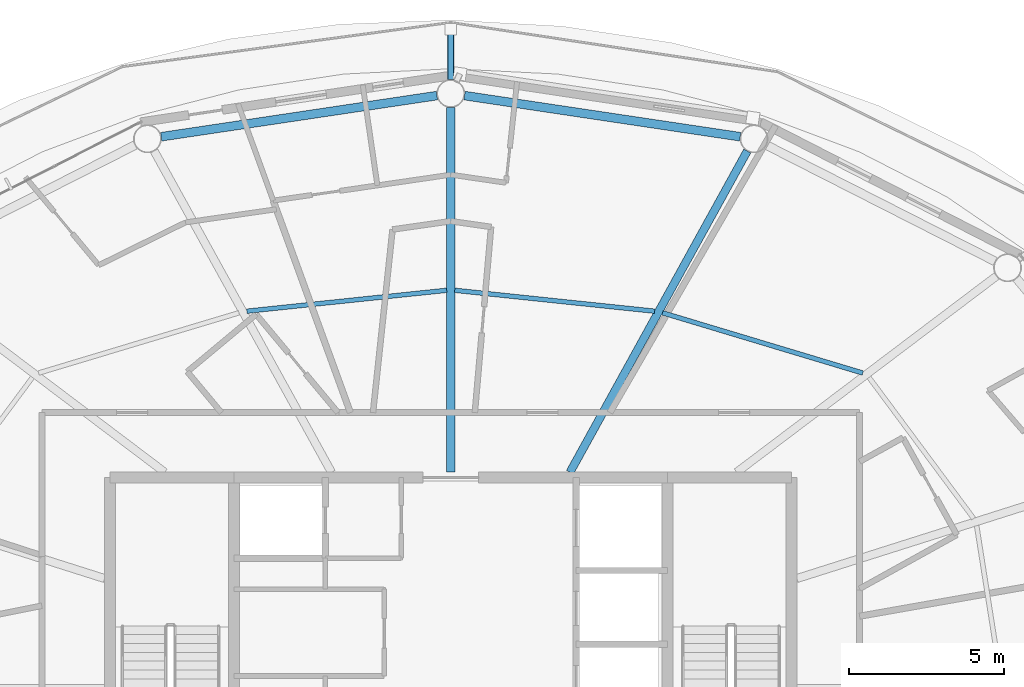
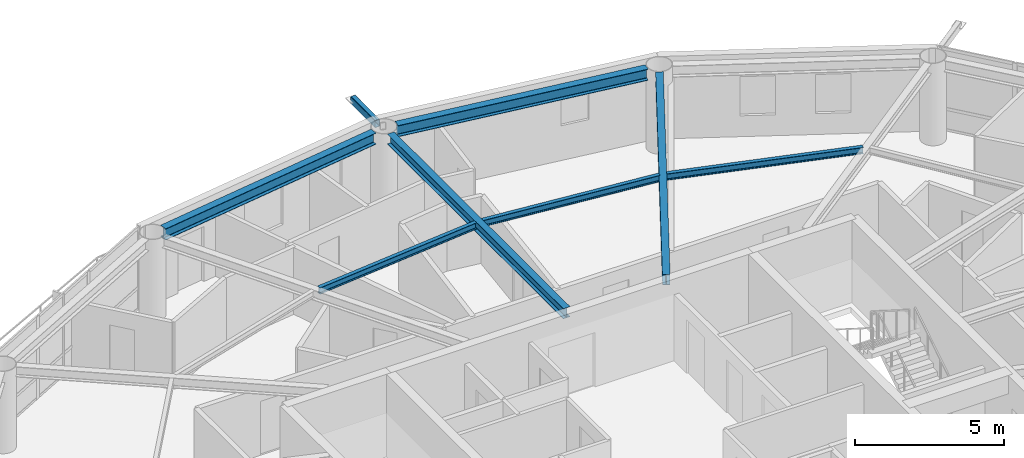
# One storey, part 10 of 22: 7 beams, 1 member.
"""IFC4 building model written with IfcOpenShell, lengths in metres."""

from ifc_helpers import new_model, si_unit, direction, frame, origin, origin_2d, place, context, subcontext, project, spatial, hollow_rectangle, i_section, extrude, material, material_profile, profile_set, type_object, element, save


model = new_model("IFC4")

# Units and contexts
model_context = context("Model", 3, precision=1e-05, world=origin(), true_north=direction((0.0, 1.0)))
body_context = subcontext(model_context, "Body", "Model", "MODEL_VIEW")
ifc_project = project(units=[si_unit("LENGTHUNIT", "METRE"), si_unit("AREAUNIT", "SQUARE_METRE"), si_unit("VOLUMEUNIT", "CUBIC_METRE"), si_unit("PLANEANGLEUNIT", "RADIAN"), si_unit("MASSUNIT", "GRAM", prefix="KILO")], contexts=[model_context])

# Site, building, storey
site_placement = place(None, origin())
site = spatial("IfcSite", under=ifc_project, at=site_placement, CompositionType="ELEMENT")
building_placement = place(site_placement, origin())
building = spatial("IfcBuilding", under=site, at=building_placement, Name="Sarneth Arch Tower", CompositionType="ELEMENT")
storey_placement = place(building_placement, frame((0.0, 0.0, 294.60009765625)))
storey = spatial("IfcBuildingStorey", under=building, at=storey_placement, Name="L76", CompositionType="ELEMENT", Elevation=294.60009765625)

# Beams
ifc_material_1 = material(Name="Steel S355", Category="steel")
ifc_material_profile_1 = material_profile(ifc_material_1, i_section(OverallWidth=0.14794921875, OverallDepth=0.26611328125, WebThickness=0.007568359375, FlangeThickness=0.012939453125, FilletRadius=0.012939453125, at=origin_2d()), Name="W250x44.8")
ifc_profile_set_1 = profile_set([ifc_material_profile_1], Name="Steel S355")
beam_type_1 = type_object("IfcBeamType", Name="BM-JOIST-250", PredefinedType="JOIST", material=ifc_profile_set_1)
beam_1_placement = place(storey_placement, frame((61.301025390625, 52.177490234375, 3.23681640625), z_axis=(-0.95760703602, 0.288077705776, 0.0), x_axis=(-0.288077705776, -0.95760703602, 0.0)))
element("IfcBeam", 1, at=beam_1_placement, inside=storey, type_object=beam_type_1, Name="L76 Secondary floor joist 03", PredefinedType="JOIST", context=body_context, shape_type="SweptSolid", body=[
    extrude(i_section(OverallWidth=0.14794921875, OverallDepth=0.26611328125, WebThickness=0.007568359375, FlangeThickness=0.012939453125, FilletRadius=0.012939453125, at=origin_2d()), origin(), (0.0, 0.0, 1.0), 6.7509765625),
])
for number, where, z_axis, x_axis, name in (
    (2, (54.582275390625, 54.17333984375, 3.23681640625), (-0.994564879221, 0.104118687178, 0.0), (-0.104118687178, -0.994564879221, 0.0), "L76 Secondary floor joist 04"),
    (3, (47.87060546875, 54.848876953125, 3.23681640625), (-0.994564879221, -0.104118687178, 0.0), (0.104118687178, -0.994564879221, 0.0), "L76 Secondary floor joist 05"),
):
    element("IfcBeam", number, at=place(storey_placement, frame(where, z_axis=z_axis, x_axis=x_axis)), inside=storey, type_object=beam_type_1, Name=name, PredefinedType="JOIST", context=body_context, shape_type="SweptSolid", body=[
        extrude(i_section(OverallWidth=0.14794921875, OverallDepth=0.26611328125, WebThickness=0.007568359375, FlangeThickness=0.012939453125, FilletRadius=0.012939453125, at=origin_2d()), origin(), (0.0, 0.0, 1.0), 6.488037109375),
    ])
ifc_material_2 = material(Name="Steel S355", Category="steel")
ifc_material_profile_2 = material_profile(ifc_material_2, i_section(OverallWidth=0.260009765625, OverallDepth=0.4150390625, WebThickness=0.010009765625, FlangeThickness=0.016845703125, FilletRadius=0.01611328125, at=origin_2d()), Name="W410x100")
ifc_profile_set_2 = profile_set([ifc_material_profile_2], Name="Steel S355")
beam_type_2 = type_object("IfcBeamType", Name="BM-RAD-410A", PredefinedType="BEAM", material=ifc_profile_set_2)
beam_2_placement = place(storey_placement, frame((51.849853515625, 48.97509765625, 3.162353515625), z_axis=(0.483229367873, 0.875493790969, 0.0), x_axis=(-0.875493790969, 0.483229367873, 0.0)))
element("IfcBeam", 4, at=beam_2_placement, inside=storey, type_object=beam_type_2, Name="L76 Radial floor girder 04", PredefinedType="BEAM", context=body_context, shape_type="SweptSolid", body=[
    extrude(i_section(OverallWidth=0.260009765625, OverallDepth=0.4150390625, WebThickness=0.010009765625, FlangeThickness=0.016845703125, FilletRadius=0.01611328125, at=origin_2d()), origin(), (0.0, 0.0, 1.0), 11.843994140625),
])
beam_3_placement = place(storey_placement, frame((48.0, 48.97509765625, 3.162353515625), z_axis=(0.0, 1.0, 0.0), x_axis=(-1.0, 0.0, 0.0)))
element("IfcBeam", 5, at=beam_3_placement, inside=storey, type_object=beam_type_2, Name="L76 Radial floor girder 05", PredefinedType="BEAM", context=body_context, shape_type="SweptSolid", body=[
    extrude(i_section(OverallWidth=0.260009765625, OverallDepth=0.4150390625, WebThickness=0.010009765625, FlangeThickness=0.016845703125, FilletRadius=0.01611328125, at=origin_2d()), origin(), (0.0, 0.0, 1.0), 11.77490234375),
])
ifc_material_3 = material(Name="Steel S355", Category="steel")
ifc_material_profile_3 = material_profile(ifc_material_3, i_section(OverallWidth=0.280029296875, OverallDepth=0.462890625, WebThickness=0.0107421875, FlangeThickness=0.017333984375, FilletRadius=0.01806640625, at=origin_2d()), Name="W460x113")
ifc_profile_set_3 = profile_set([ifc_material_profile_3], Name="Steel S355")
beam_type_3 = type_object("IfcBeamType", Name="BM-RAD-460A", PredefinedType="BEAM", material=ifc_profile_set_3)
for number, where, z_axis, x_axis, name in (
    (6, (57.345703125, 59.804931640625, 3.138427734375), (-0.989041765772, 0.147635990052, 0.0), (-0.147635990052, -0.989041765772, 0.0), "L76 Perimeter spandrel beam 04"),
    (7, (47.554931640625, 61.133544921875, 3.138427734375), (-0.989041765772, -0.147635990052, 0.0), (0.147635990052, -0.989041765772, 0.0), "L76 Perimeter spandrel beam 05"),
):
    element("IfcBeam", number, at=place(storey_placement, frame(where, z_axis=z_axis, x_axis=x_axis)), inside=storey, type_object=beam_type_3, Name=name, PredefinedType="BEAM", context=body_context, shape_type="SweptSolid", body=[
        extrude(i_section(OverallWidth=0.280029296875, OverallDepth=0.462890625, WebThickness=0.0107421875, FlangeThickness=0.017333984375, FilletRadius=0.01806640625, at=origin_2d()), origin(), (0.0, 0.0, 1.0), 8.999267578125),
    ])

# Member
ifc_material_4 = material(Name="Steel S355", Category="steel")
ifc_material_profile_4 = material_profile(ifc_material_4, hollow_rectangle(XDim=0.199951171875, YDim=0.300048828125, WallThickness=0.012451171875, InnerFilletRadius=0.018798828125, OuterFilletRadius=0.03125, at=origin_2d()), Name="RHS300x200x12.5")
ifc_profile_set_4 = profile_set([ifc_material_profile_4], Name="Steel S355")
member_type = type_object("IfcMemberType", Name="MEM-CANT-STRUT", PredefinedType="STRUT", material=ifc_profile_set_4)
member_placement = place(storey_placement, frame((48.0, 61.64990234375, 3.2099609375), z_axis=(0.0, 1.0, 0.0), x_axis=(-1.0, 0.0, 0.0)))
element("IfcMember", 8, at=member_placement, inside=storey, type_object=member_type, Name="L76 Balcony cantilever bracket 05", PredefinedType="STRUT", context=body_context, shape_type="SweptSolid", body=[
    extrude(hollow_rectangle(XDim=0.199951171875, YDim=0.300048828125, WallThickness=0.012451171875, InnerFilletRadius=0.018798828125, OuterFilletRadius=0.03125, at=origin_2d()), origin(), (0.0, 0.0, 1.0), 1.623779296875),
])

save(model, "model.ifc")
